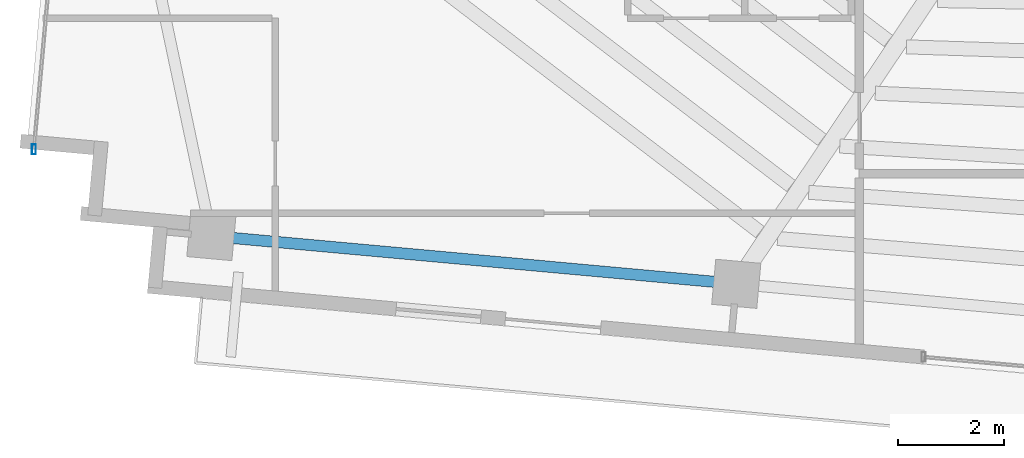
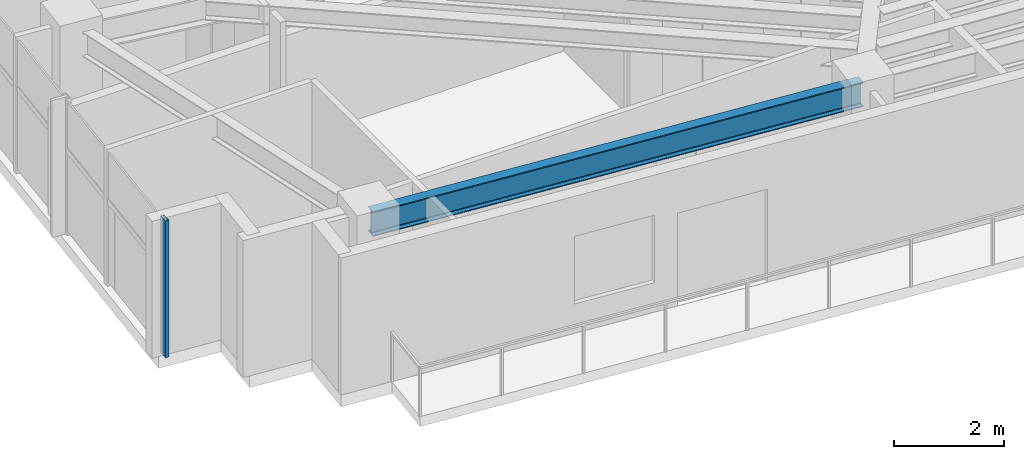
# One storey, part 2 of 22: 1 beam, 1 member, 1 element without a shape of its own.
"""IFC4 building model written with IfcOpenShell, lengths in metres."""

from ifc_helpers import new_model, si_unit, direction, frame, origin, origin_2d, place, context, subcontext, project, spatial, hollow_rectangle, i_section, extrude, source, transform, mapped, material, material_profile, profile_set, type_object, type_shapes, element, aggregate, save


model = new_model("IFC4")

# Units and contexts
model_context = context("Model", 3, precision=1e-05, world=origin(), true_north=direction((0.0, 1.0)))
body_context = subcontext(model_context, "Body", "Model", "MODEL_VIEW")
ifc_project = project(units=[si_unit("LENGTHUNIT", "METRE"), si_unit("AREAUNIT", "SQUARE_METRE"), si_unit("VOLUMEUNIT", "CUBIC_METRE"), si_unit("PLANEANGLEUNIT", "RADIAN"), si_unit("MASSUNIT", "GRAM", prefix="KILO")], contexts=[model_context])

# Site, building, storey
site_placement = place(None, origin())
site = spatial("IfcSite", under=ifc_project, at=site_placement, CompositionType="ELEMENT")
building_placement = place(site_placement, origin())
building = spatial("IfcBuilding", under=site, at=building_placement, Name="Astriad Promenade Condominiums", CompositionType="ELEMENT")
storey_placement = place(building_placement, frame((0.0, 0.0, 249.60009765625)))
storey = spatial("IfcBuildingStorey", under=building, at=storey_placement, Name="L72", CompositionType="ELEMENT", Elevation=249.60009765625)

# Beam
ifc_material_1 = material(Name="Steel ASTM A992 Grade 50", Category="steel")
ifc_material_profile_1 = material_profile(ifc_material_1, i_section(OverallWidth=0.210693359375, OverallDepth=0.53955078125, WebThickness=0.01171875, FlangeThickness=0.018798828125, FilletRadius=0.0166015625, at=origin_2d()), Name="W21X73")
ifc_profile_set_1 = profile_set([ifc_material_profile_1], Name="Steel ASTM A992 Grade 50")
beam_type = type_object("IfcBeamType", Name="STEEL SPANDREL BEAM W21X73", PredefinedType="SPANDREL", material=ifc_profile_set_1)
shared_shape_1 = source(origin(), body_context, "Body", "SweptSolid", [
    extrude(i_section(OverallWidth=0.210693359375, OverallDepth=0.53955078125, WebThickness=0.01171875, FlangeThickness=0.018798828125, FilletRadius=0.0166015625, at=origin_2d()), origin(), (0.0, 0.0, 1.0), 9.8203125),
])
type_shapes(beam_type, [shared_shape_1])
beam_placement = place(storey_placement, frame((12.421630859375, 12.102783203125, 2.77001953125), z_axis=(0.995883419264, -0.090643340822, 0.0), x_axis=(0.090643340822, 0.995883419264, 0.0)))
element("IfcBeam", 1, at=beam_placement, inside=storey, type_object=beam_type, Name="Perimeter Spandrel Beam SP-S1-L72", PredefinedType="SPANDREL", context=body_context, shape_type="MappedRepresentation", body=[
    mapped(shared_shape_1, transform((0.0, 0.0, 0.0), scale=1.0)),
])

# Curtain wall, member
ifc_material_2 = material(Name="Anodised aluminium Black Dark Glass Unitised", Category="aluminium")
curtain_wall_type = type_object("IfcCurtainWallType", Name="CW-B5-DARK", PredefinedType="USERDEFINED", material=ifc_material_2)
curtain_wall_placement = place(storey_placement, origin())
curtain_wall = element("IfcCurtainWall", 2, at=curtain_wall_placement, inside=storey, type_object=curtain_wall_type, Name="CW-L72-W", ObjectType="UNITISED_CURTAIN_WALL", PredefinedType="USERDEFINED")
ifc_material_3 = material(Name="Anodised aluminium 6063-T6 Black", Category="aluminium")
ifc_material_profile_2 = material_profile(ifc_material_3, hollow_rectangle(XDim=0.074951171875, YDim=0.18505859375, WallThickness=0.00439453125, at=origin_2d()), Name="ALU-MUL-75X185")
ifc_profile_set_2 = profile_set([ifc_material_profile_2], Name="Anodised aluminium 6063-T6 Black")
member_type = type_object("IfcMemberType", Name="MUL-ALU-MUL-75X185", PredefinedType="MULLION", material=ifc_profile_set_2)
shared_shape_2 = source(origin(), body_context, "Body", "SweptSolid", [
    extrude(hollow_rectangle(XDim=0.074951171875, YDim=0.18505859375, WallThickness=0.00439453125, at=origin_2d()), origin(), (0.0, 0.0, 1.0), 3.039794921875),
])
type_shapes(member_type, [shared_shape_2])
member_placement = place(storey_placement, frame((9.0458984375, 13.7353515625, 0.0), z_axis=(0.0, 0.0, 1.0), x_axis=(1.0, 0.0, 0.0)))
member = element("IfcMember", 3, at=member_placement, type_object=member_type, Name="CW-L72-W-MUL-00", PredefinedType="MULLION", context=body_context, shape_type="MappedRepresentation", body=[
    mapped(shared_shape_2, transform((0.0, 0.0, 0.0), scale=1.0)),
])
aggregate(curtain_wall, [member])

save(model, "model.ifc")
